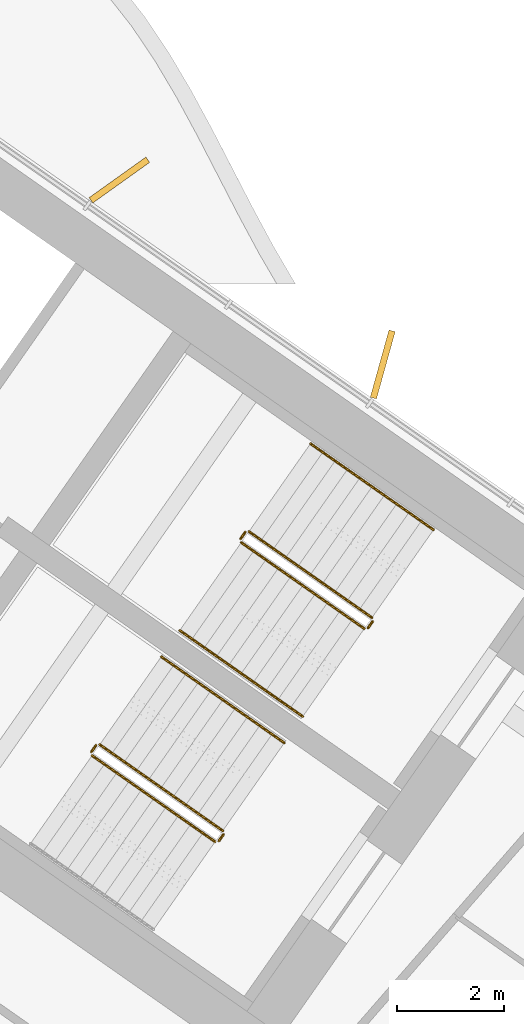
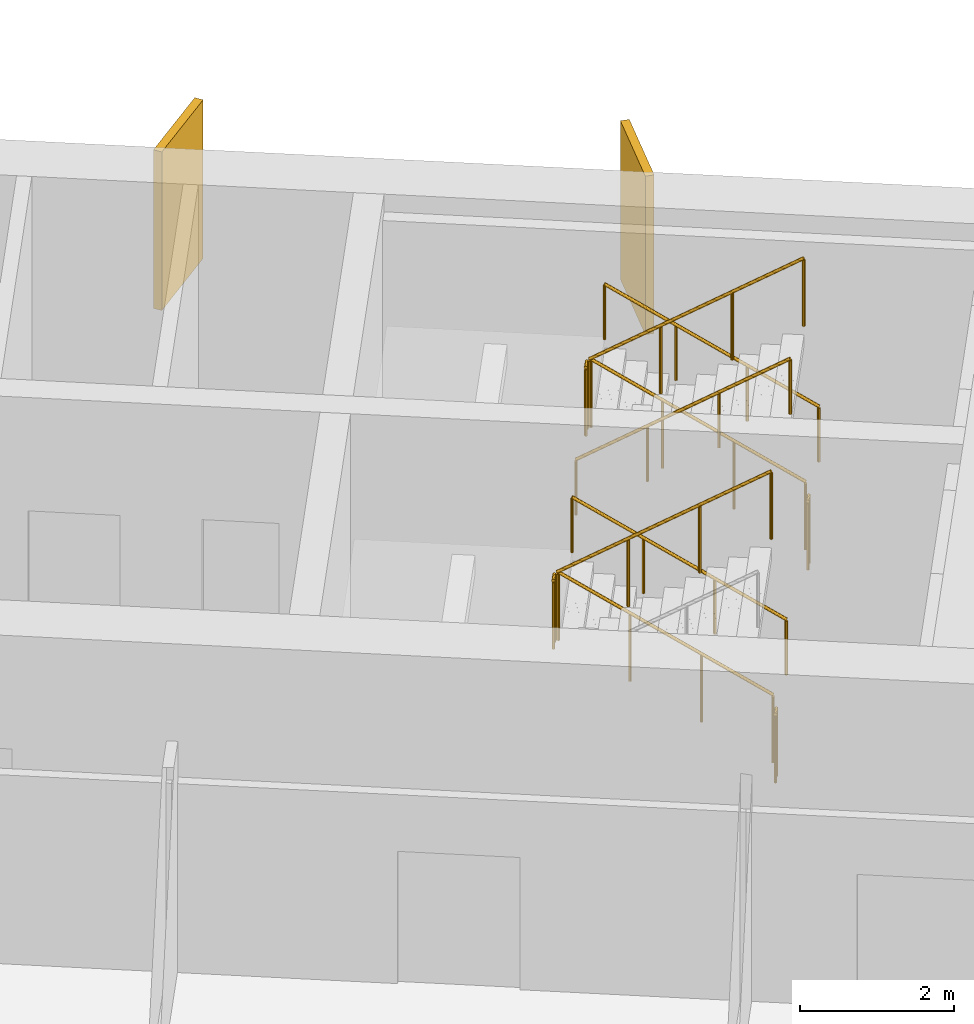
# One storey, part 20 of 22: 11 railings, 2 shading devices.
"""IFC4 building model written with IfcOpenShell, lengths in metres."""

from ifc_helpers import new_model, si_unit, direction, frame, origin, origin_2d, place, context, subcontext, project, spatial, rectangle, circle, extrude, material, layer, layer_set, type_object, element, save


model = new_model("IFC4")

# Units and contexts
model_context = context("Model", 3, precision=1e-05, world=origin(), true_north=direction((0.0, 1.0)))
body_context = subcontext(model_context, "Body", "Model", "MODEL_VIEW")
ifc_project = project(units=[si_unit("LENGTHUNIT", "METRE"), si_unit("AREAUNIT", "SQUARE_METRE"), si_unit("VOLUMEUNIT", "CUBIC_METRE"), si_unit("PLANEANGLEUNIT", "RADIAN"), si_unit("MASSUNIT", "GRAM", prefix="KILO")], contexts=[model_context])

# Site, building, storey
site_placement = place(None, origin())
site = spatial("IfcSite", under=ifc_project, at=site_placement, CompositionType="ELEMENT")
building_placement = place(site_placement, origin())
building = spatial("IfcBuilding", under=site, at=building_placement, Name="Tel Ilan Convention Tower", CompositionType="ELEMENT")
storey_placement = place(building_placement, frame((0.0, 0.0, 202.199951171875)))
storey = spatial("IfcBuildingStorey", under=building, at=storey_placement, Name="L47", CompositionType="ELEMENT", Elevation=202.199951171875)

# Shading devices
ifc_material_1 = material(Name="Aluminium, bronze anodised", Category="aluminium")
ifc_layer = layer(ifc_material_1, 0.1201171875)
ifc_layer_set = layer_set([ifc_layer], Name="FIN BRONZE 1300x120")
shading_device_type = type_object("IfcShadingDeviceType", Name="FIN BRONZE 1300x120", PredefinedType="USERDEFINED", material=ifc_layer_set)
for number, where, z_axis, x_axis, name in (
    (1, (23.879150390625, -3.130126953125, 1.10009765625), (0.0, 0.0, 1.0), (0.268172612768, 0.963370878614, 0.0), "FIN"),
    (2, (18.96826171875, 0.308349609375, 1.10009765625), (0.0, 0.0, 1.0), (0.813552070258, 0.581492071294, 0.0), "FIN"),
):
    element("IfcShadingDevice", number, at=place(storey_placement, frame(where, z_axis=z_axis, x_axis=x_axis)), inside=storey, type_object=shading_device_type, Name=name, ObjectType="FIN", PredefinedType="USERDEFINED", context=body_context, shape_type="SweptSolid", body=[
        extrude(rectangle(XDim=1.300048828125, YDim=0.1201171875, at=origin_2d()), origin(), (0.0, 0.0, 1.0), 2.52001953125),
    ])

# Railings
ifc_material_2 = material(Name="Stainless Steel Grade 316", Category="steel")
railing_type_1 = type_object("IfcRailingType", Name="Stainless Steel Stair Guard 1100 mm", PredefinedType="GUARDRAIL", material=ifc_material_2)
railing_1_placement = place(storey_placement, frame((23.6787109375, -7.8515625, 0.17724609375)))
element("IfcRailing", 3, at=railing_1_placement, inside=storey, type_object=railing_type_1, Name="L47 S3 stair guard 1", PredefinedType="GUARDRAIL", context=body_context, shape_type="SweptSolid", body=[
    extrude(circle(Radius=0.02392578125, at=origin_2d()), frame((0.0, 0.0, 1.076171875), z_axis=(-0.692084706163, 0.484621375041, 0.534940073605), x_axis=(-0.573591086599, -0.819141785879, 0.0)), (0.0, 0.0, 1.0), 3.313720703125),
    extrude(circle(Radius=0.02099609375, at=origin_2d()), origin(), (0.0, 0.0, 1.0), 1.052001953125),
    extrude(circle(Radius=0.02099609375, at=origin_2d()), frame((-0.764404296875, 0.535400390625, 0.5908203125)), (0.0, 0.0, 1.0), 1.052001953125),
    extrude(circle(Radius=0.02099609375, at=origin_2d()), frame((-1.529052734375, 1.070556640625, 1.181884765625)), (0.0, 0.0, 1.0), 1.052001953125),
    extrude(circle(Radius=0.02099609375, at=origin_2d()), frame((-2.29345703125, 1.60595703125, 1.772705078125)), (0.0, 0.0, 1.0), 1.052001953125),
])
railing_2_placement = place(storey_placement, frame((21.3154296875, -6.2578125, 1.949951171875)))
element("IfcRailing", 4, at=railing_2_placement, inside=storey, type_object=railing_type_1, Name="L47 S3 stair guard 2", PredefinedType="GUARDRAIL", context=body_context, shape_type="SweptSolid", body=[
    extrude(circle(Radius=0.02392578125, at=origin_2d()), frame((0.0, 0.0, 1.076171875), z_axis=(-0.573353020881, -0.819308436089, 0.0), x_axis=(0.819308436089, -0.573353020881, 0.0)), (0.0, 0.0, 1.0), 0.14990234375),
    extrude(circle(Radius=0.02099609375, at=origin_2d()), origin(), (0.0, 0.0, 1.0), 1.052001953125),
    extrude(circle(Radius=0.02099609375, at=origin_2d()), frame((-0.0859375, -0.122802734375, 0.0)), (0.0, 0.0, 1.0), 1.052001953125),
])
railing_3_placement = place(storey_placement, frame((21.24169921875, -6.4501953125, 2.12744140625)))
element("IfcRailing", 5, at=railing_3_placement, inside=storey, type_object=railing_type_1, Name="L47 S3 stair guard 3", PredefinedType="GUARDRAIL", context=body_context, shape_type="SweptSolid", body=[
    extrude(circle(Radius=0.02392578125, at=origin_2d()), frame((0.0, 0.0, 1.076171875), z_axis=(0.692098378994, -0.484653031975, 0.534893701956), x_axis=(0.573608623498, 0.819129505664, 0.0)), (0.0, 0.0, 1.0), 3.314208984375),
    extrude(circle(Radius=0.02099609375, at=origin_2d()), origin(), (0.0, 0.0, 1.0), 1.052001953125),
    extrude(circle(Radius=0.02099609375, at=origin_2d()), frame((0.7646484375, -0.535400390625, 0.5908203125)), (0.0, 0.0, 1.0), 1.052001953125),
    extrude(circle(Radius=0.02099609375, at=origin_2d()), frame((1.529052734375, -1.07080078125, 1.181884765625)), (0.0, 0.0, 1.0), 1.052001953125),
    extrude(circle(Radius=0.02099609375, at=origin_2d()), frame((2.293701171875, -1.606201171875, 1.772705078125)), (0.0, 0.0, 1.0), 1.052001953125),
])
railing_4_placement = place(storey_placement, frame((23.691162109375, -7.921142578125, 0.0)))
element("IfcRailing", 6, at=railing_4_placement, inside=storey, type_object=railing_type_1, Name="L47 S3 stair guard 4", PredefinedType="GUARDRAIL", context=body_context, shape_type="SweptSolid", body=[
    extrude(circle(Radius=0.02392578125, at=origin_2d()), frame((0.0, 0.0, 1.076171875), z_axis=(-0.574444878118, -0.818543268254, 0.0), x_axis=(0.818543268254, -0.574444878118, 0.0)), (0.0, 0.0, 1.0), 0.150146484375),
    extrude(circle(Radius=0.02099609375, at=origin_2d()), origin(), (0.0, 0.0, 1.0), 1.052001953125),
    extrude(circle(Radius=0.02099609375, at=origin_2d()), frame((-0.086181640625, -0.122802734375, 0.0)), (0.0, 0.0, 1.0), 1.052001953125),
])
railing_5_placement = place(storey_placement, frame((20.89697265625, -11.824462890625, 0.17724609375)))
element("IfcRailing", 7, at=railing_5_placement, inside=storey, type_object=railing_type_1, Name="L47 S4 stair guard 1", PredefinedType="GUARDRAIL", context=body_context, shape_type="SweptSolid", body=[
    extrude(circle(Radius=0.02392578125, at=origin_2d()), frame((0.0, 0.0, 1.076171875), z_axis=(-0.692123088272, 0.484596665743, 0.534912798717), x_axis=(-0.573550118428, -0.819170471667, 0.0)), (0.0, 0.0, 1.0), 3.31396484375),
    extrude(circle(Radius=0.02099609375, at=origin_2d()), origin(), (0.0, 0.0, 1.0), 1.052001953125),
    extrude(circle(Radius=0.02099609375, at=origin_2d()), frame((-0.7646484375, 0.535400390625, 0.5908203125)), (0.0, 0.0, 1.0), 1.052001953125),
    extrude(circle(Radius=0.02099609375, at=origin_2d()), frame((-1.529052734375, 1.070556640625, 1.181884765625)), (0.0, 0.0, 1.0), 1.052001953125),
    extrude(circle(Radius=0.02099609375, at=origin_2d()), frame((-2.293701171875, 1.60595703125, 1.772705078125)), (0.0, 0.0, 1.0), 1.052001953125),
])
railing_6_placement = place(storey_placement, frame((18.53369140625, -10.230712890625, 1.949951171875)))
element("IfcRailing", 8, at=railing_6_placement, inside=storey, type_object=railing_type_1, Name="L47 S4 stair guard 2", PredefinedType="GUARDRAIL", context=body_context, shape_type="SweptSolid", body=[
    extrude(circle(Radius=0.02392578125, at=origin_2d()), frame((0.0, 0.0, 1.076171875), z_axis=(-0.573353020881, -0.819308436089, 0.0), x_axis=(0.819308436089, -0.573353020881, 0.0)), (0.0, 0.0, 1.0), 0.14990234375),
    extrude(circle(Radius=0.02099609375, at=origin_2d()), origin(), (0.0, 0.0, 1.0), 1.052001953125),
    extrude(circle(Radius=0.02099609375, at=origin_2d()), frame((-0.0859375, -0.122802734375, 0.0)), (0.0, 0.0, 1.0), 1.052001953125),
])
railing_7_placement = place(storey_placement, frame((18.4599609375, -10.423095703125, 2.12744140625)))
element("IfcRailing", 9, at=railing_7_placement, inside=storey, type_object=railing_type_1, Name="L47 S4 stair guard 3", PredefinedType="GUARDRAIL", context=body_context, shape_type="SweptSolid", body=[
    extrude(circle(Radius=0.02392578125, at=origin_2d()), frame((0.0, 0.0, 1.076171875), z_axis=(0.692098378994, -0.484653031975, 0.534893701956), x_axis=(0.573608623498, 0.819129505664, 0.0)), (0.0, 0.0, 1.0), 3.314208984375),
    extrude(circle(Radius=0.02099609375, at=origin_2d()), origin(), (0.0, 0.0, 1.0), 1.052001953125),
    extrude(circle(Radius=0.02099609375, at=origin_2d()), frame((0.7646484375, -0.535400390625, 0.5908203125)), (0.0, 0.0, 1.0), 1.052001953125),
    extrude(circle(Radius=0.02099609375, at=origin_2d()), frame((1.529052734375, -1.07080078125, 1.181884765625)), (0.0, 0.0, 1.0), 1.052001953125),
    extrude(circle(Radius=0.02099609375, at=origin_2d()), frame((2.293701171875, -1.606201171875, 1.772705078125)), (0.0, 0.0, 1.0), 1.052001953125),
])
railing_8_placement = place(storey_placement, frame((20.9091796875, -11.89404296875, 0.0)))
element("IfcRailing", 10, at=railing_8_placement, inside=storey, type_object=railing_type_1, Name="L47 S4 stair guard 4", PredefinedType="GUARDRAIL", context=body_context, shape_type="SweptSolid", body=[
    extrude(circle(Radius=0.02392578125, at=origin_2d()), frame((0.0, 0.0, 1.076171875), z_axis=(-0.573353020881, -0.819308436089, 0.0), x_axis=(0.819308436089, -0.573353020881, 0.0)), (0.0, 0.0, 1.0), 0.14990234375),
    extrude(circle(Radius=0.02099609375, at=origin_2d()), origin(), (0.0, 0.0, 1.0), 1.052001953125),
    extrude(circle(Radius=0.02099609375, at=origin_2d()), frame((-0.0859375, -0.122802734375, 0.0)), (0.0, 0.0, 1.0), 1.052001953125),
])
ifc_material_3 = material(Name="Stainless Steel Grade 316", Category="steel")
railing_type_2 = type_object("IfcRailingType", Name="Stainless Steel Stair Handrail 900 mm", PredefinedType="HANDRAIL", material=ifc_material_3)
railing_9_placement = place(storey_placement, frame((24.825927734375, -6.213134765625, 0.17724609375)))
element("IfcRailing", 11, at=railing_9_placement, inside=storey, type_object=railing_type_2, Name="L47 S3 stair handrail 1", PredefinedType="HANDRAIL", context=body_context, shape_type="SweptSolid", body=[
    extrude(circle(Radius=0.02392578125, at=origin_2d()), frame((0.0, 0.0, 0.8759765625), z_axis=(-0.692123088272, 0.484596665743, 0.534912798717), x_axis=(-0.573550118428, -0.819170471667, 0.0)), (0.0, 0.0, 1.0), 3.31396484375),
    extrude(circle(Radius=0.02099609375, at=origin_2d()), origin(), (0.0, 0.0, 1.0), 0.851806640625),
    extrude(circle(Radius=0.02099609375, at=origin_2d()), frame((-0.7646484375, 0.535400390625, 0.5908203125)), (0.0, 0.0, 1.0), 0.851806640625),
    extrude(circle(Radius=0.02099609375, at=origin_2d()), frame((-1.529052734375, 1.070556640625, 1.181884765625)), (0.0, 0.0, 1.0), 0.851806640625),
    extrude(circle(Radius=0.02099609375, at=origin_2d()), frame((-2.293701171875, 1.60595703125, 1.772705078125)), (0.0, 0.0, 1.0), 0.851806640625),
])
railing_10_placement = place(storey_placement, frame((20.0947265625, -8.088623046875, 2.12744140625)))
element("IfcRailing", 12, at=railing_10_placement, inside=storey, type_object=railing_type_2, Name="L47 S3 stair handrail 2", PredefinedType="HANDRAIL", context=body_context, shape_type="SweptSolid", body=[
    extrude(circle(Radius=0.02392578125, at=origin_2d()), frame((0.0, 0.0, 0.8759765625), z_axis=(0.692084706163, -0.484621375041, 0.534940073605), x_axis=(0.573591086599, 0.819141785879, 0.0)), (0.0, 0.0, 1.0), 3.313720703125),
    extrude(circle(Radius=0.02099609375, at=origin_2d()), origin(), (0.0, 0.0, 1.0), 0.851806640625),
    extrude(circle(Radius=0.02099609375, at=origin_2d()), frame((0.764404296875, -0.535400390625, 0.5908203125)), (0.0, 0.0, 1.0), 0.851806640625),
    extrude(circle(Radius=0.02099609375, at=origin_2d()), frame((1.529052734375, -1.070556640625, 1.181884765625)), (0.0, 0.0, 1.0), 0.851806640625),
    extrude(circle(Radius=0.02099609375, at=origin_2d()), frame((2.29345703125, -1.60595703125, 1.772705078125)), (0.0, 0.0, 1.0), 0.851806640625),
])
railing_11_placement = place(storey_placement, frame((22.044189453125, -10.18603515625, 0.17724609375)))
element("IfcRailing", 13, at=railing_11_placement, inside=storey, type_object=railing_type_2, Name="L47 S4 stair handrail 1", PredefinedType="HANDRAIL", context=body_context, shape_type="SweptSolid", body=[
    extrude(circle(Radius=0.02392578125, at=origin_2d()), frame((0.0, 0.0, 0.8759765625), z_axis=(-0.692123088272, 0.484596665743, 0.534912798717), x_axis=(-0.573550118428, -0.819170471667, 0.0)), (0.0, 0.0, 1.0), 3.31396484375),
    extrude(circle(Radius=0.02099609375, at=origin_2d()), origin(), (0.0, 0.0, 1.0), 0.851806640625),
    extrude(circle(Radius=0.02099609375, at=origin_2d()), frame((-0.7646484375, 0.535400390625, 0.5908203125)), (0.0, 0.0, 1.0), 0.851806640625),
    extrude(circle(Radius=0.02099609375, at=origin_2d()), frame((-1.529052734375, 1.070556640625, 1.181884765625)), (0.0, 0.0, 1.0), 0.851806640625),
    extrude(circle(Radius=0.02099609375, at=origin_2d()), frame((-2.293701171875, 1.60595703125, 1.772705078125)), (0.0, 0.0, 1.0), 0.851806640625),
])

save(model, "model.ifc")
